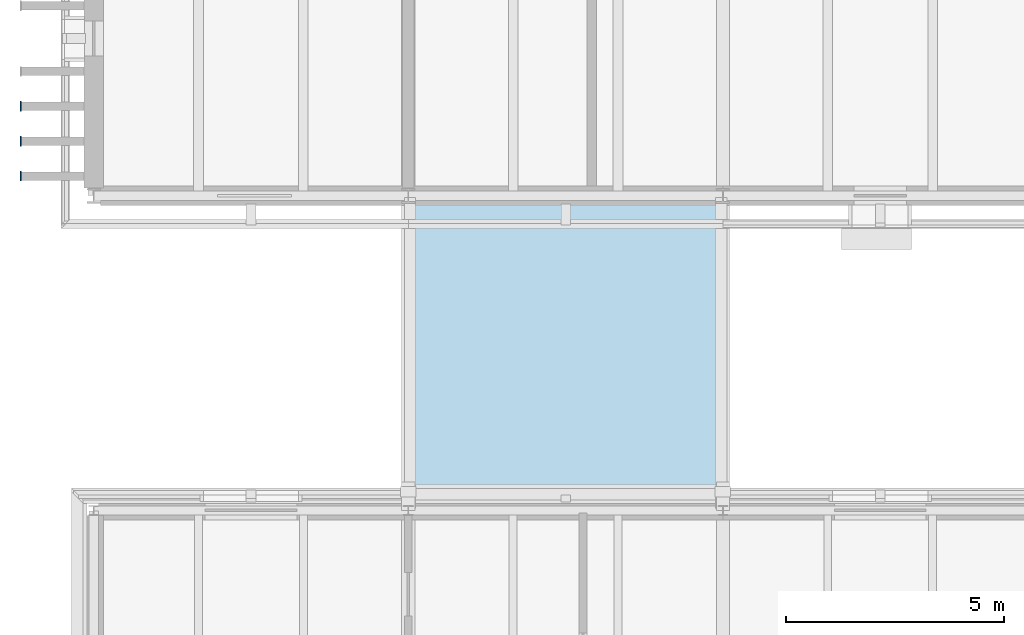
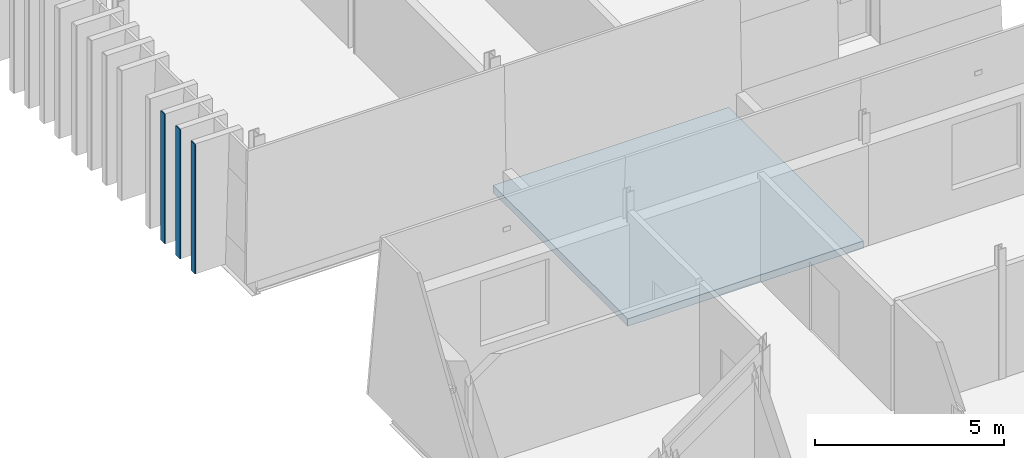
# One storey, part 43 of 115: 3 plates, 1 slab.
"""IFC4 building model written with IfcOpenShell, lengths in metres."""

from ifc_helpers import new_model, si_unit, direction, frame, origin, origin_2d, place, context, subcontext, project, spatial, polyline, rectangle, outline, extrude, material, layer, layer_set, type_object, element, save


model = new_model("IFC4")

# Units and contexts
model_context = context("Model", 3, precision=1e-05, world=origin(), true_north=direction((0.0, 1.0)))
body_context = subcontext(model_context, "Body", "Model", "MODEL_VIEW")
ifc_project = project(units=[si_unit("LENGTHUNIT", "METRE"), si_unit("AREAUNIT", "SQUARE_METRE"), si_unit("VOLUMEUNIT", "CUBIC_METRE"), si_unit("PLANEANGLEUNIT", "RADIAN"), si_unit("MASSUNIT", "GRAM", prefix="KILO")], contexts=[model_context])

# Site, building, storey
site_placement = place(None, origin())
site = spatial("IfcSite", under=ifc_project, at=site_placement, CompositionType="ELEMENT")
building_placement = place(site_placement, origin())
building = spatial("IfcBuilding", under=site, at=building_placement, Name="Narikvali Park Central Library", CompositionType="ELEMENT")
storey_placement = place(building_placement, frame((0.0, 0.0, 10.199951171875)))
storey = spatial("IfcBuildingStorey", under=building, at=storey_placement, Name="L02", CompositionType="ELEMENT", Elevation=10.199951171875)

# Slab
ifc_material_1 = material(Name="Concrete C35/45", Category="concrete")
ifc_layer_1 = layer(ifc_material_1, 0.239990234375, Name="Concrete C35/45")
ifc_layer_set_1 = layer_set([ifc_layer_1], Name="Concrete C35/45")
slab_type = type_object("IfcSlabType", Name="Flat Acoustic Roof Slab 240", PredefinedType="ROOF", material=ifc_layer_set_1)
slab_placement = place(storey_placement, frame((0.0, 0.0, -0.239990234375)))
element("IfcSlab", 1, at=slab_placement, inside=storey, type_object=slab_type, Name="BRG-5 L02 Bridge Roof Slab", PredefinedType="ROOF", context=body_context, shape_type="SweptSolid", body=[
    extrude(outline(polyline([(7.199951171875, 21.639892578125), (14.39990234375, 21.639892578125), (14.39990234375, 28.760009765625), (7.199951171875, 28.760009765625), (7.199951171875, 21.639892578125)])), origin(), (0.0, 0.0, 1.0), 0.239990234375),
])

# Plates
ifc_material_2 = material(Name="Anodised Bronze Aluminium", Category="aluminium")
ifc_layer_2 = layer(ifc_material_2, 0.028076171875, Name="Anodised Bronze Aluminium")
ifc_layer_set_2 = layer_set([ifc_layer_2], Name="Anodised Bronze Aluminium")
plate_type = type_object("IfcPlateType", Name="Vertical Brick Fin Bronze Bullnose Cap 28", PredefinedType="SHEET", material=ifc_layer_set_2)
for number, where, z_axis, x_axis, name in (
    (2, (-1.672119140625, 29.25, 0.01025390625), (0.0, 0.0, 1.0), (1.0, 0.0, 0.0), "West Stacks Fin Bullnose Trim 003"),
    (3, (-1.672119140625, 30.050048828125, 0.01025390625), (0.0, 0.0, 1.0), (1.0, 0.0, 0.0), "West Stacks Fin Bullnose Trim 007"),
    (4, (-1.672119140625, 30.85009765625, 0.01025390625), (0.0, 0.0, 1.0), (1.0, 0.0, 0.0), "West Stacks Fin Bullnose Trim 011"),
):
    element("IfcPlate", number, at=place(storey_placement, frame(where, z_axis=z_axis, x_axis=x_axis)), inside=storey, type_object=plate_type, Name=name, PredefinedType="SHEET", context=body_context, shape_type="SweptSolid", body=[
        extrude(rectangle(XDim=0.028076171875, YDim=0.219970703125, at=origin_2d()), origin(), (0.0, 0.0, 1.0), 4.179931640625),
    ])

save(model, "model.ifc")
